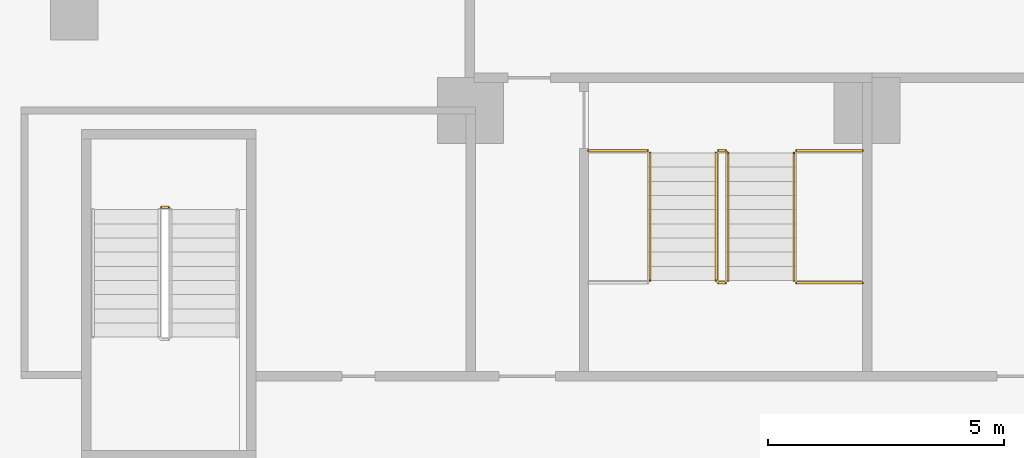
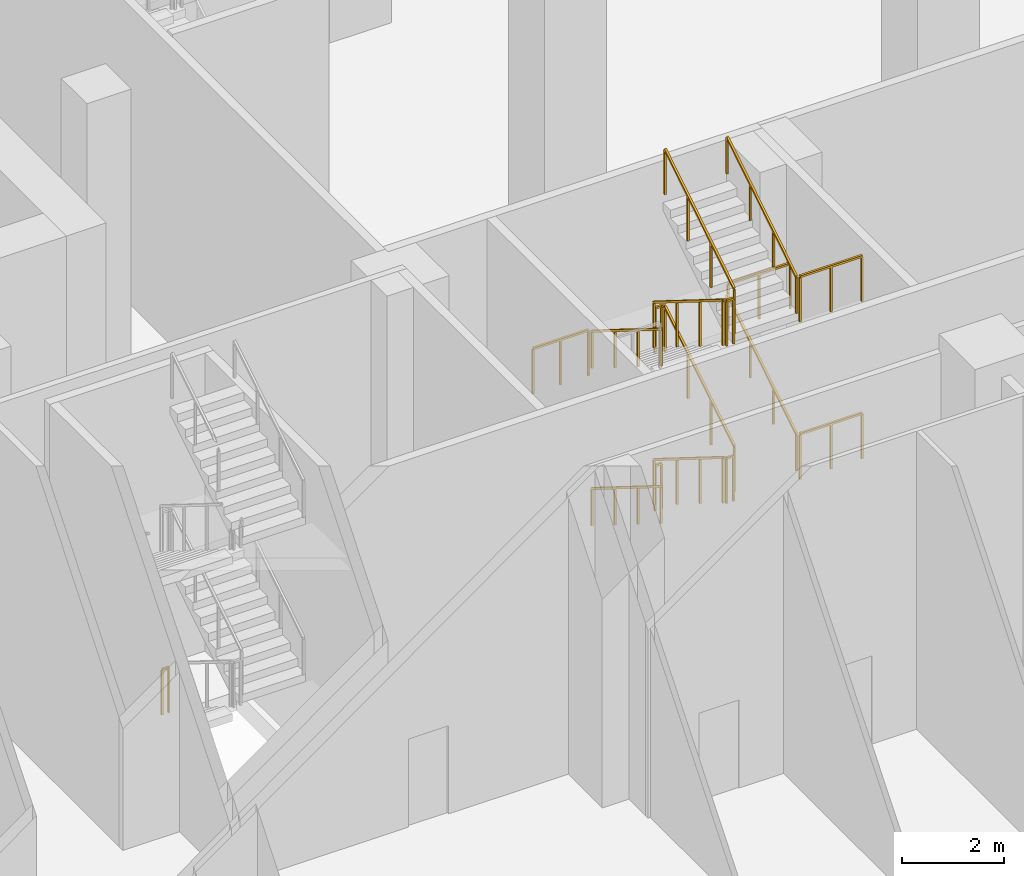
# One storey, part 43 of 53: 14 railings.
"""IFC4 building model written with IfcOpenShell, lengths in metres."""

from ifc_helpers import new_model, si_unit, direction, frame, origin, origin_2d, place, context, subcontext, project, spatial, rectangle, extrude, material, type_object, element, save


model = new_model("IFC4")

# Units and contexts
model_context = context("Model", 3, precision=1e-05, world=origin(), true_north=direction((0.0, 1.0)))
body_context = subcontext(model_context, "Body", "Model", "MODEL_VIEW")
ifc_project = project(units=[si_unit("LENGTHUNIT", "METRE"), si_unit("AREAUNIT", "SQUARE_METRE"), si_unit("VOLUMEUNIT", "CUBIC_METRE"), si_unit("PLANEANGLEUNIT", "RADIAN"), si_unit("MASSUNIT", "GRAM", prefix="KILO")], contexts=[model_context])

# Site, building, storey
site_placement = place(None, origin())
site = spatial("IfcSite", under=ifc_project, at=site_placement, CompositionType="ELEMENT")
building_placement = place(site_placement, origin())
building = spatial("IfcBuilding", under=site, at=building_placement, Name="Vermilion Ogive Tower", CompositionType="ELEMENT")
storey_placement = place(building_placement, origin())
storey = spatial("IfcBuildingStorey", under=building, at=storey_placement, Name="L00", CompositionType="ELEMENT", Elevation=0.0)

# Railings
ifc_material_1 = material(Name="Steel S355 painted", Category="steel")
railing_type_1 = type_object("IfcRailingType", Name="Stair guard 1100", PredefinedType="GUARDRAIL", material=ifc_material_1)
railing_1_placement = place(storey_placement, frame((10.25, -14.64990234375, 0.0)))
element("IfcRailing", 1, at=railing_1_placement, inside=storey, type_object=railing_type_1, Name="L00 ST5 stair guard 8", PredefinedType="GUARDRAIL", context=body_context, shape_type="SweptSolid", body=[
    extrude(rectangle(XDim=0.048095703125, YDim=0.048095703125, at=origin_2d()), frame((0.0, 0.0, 1.076171875), z_axis=(1.0, 0.0, 0.0), x_axis=(0.0, 1.0, 0.0)), (0.0, 0.0, 1.0), 0.14990234375),
    extrude(rectangle(XDim=0.0419921875, YDim=0.0419921875, at=origin_2d()), origin(), (0.0, 0.0, 1.0), 1.052001953125),
    extrude(rectangle(XDim=0.0419921875, YDim=0.0419921875, at=origin_2d()), frame((0.14990234375, 0.0, 0.0)), (0.0, 0.0, 1.0), 1.052001953125),
])
railing_2_placement = place(storey_placement, frame((22.0, -13.5, 0.1875)))
element("IfcRailing", 2, at=railing_2_placement, inside=storey, type_object=railing_type_1, Name="L00 PS3 stair guard 1", PredefinedType="GUARDRAIL", context=body_context, shape_type="SweptSolid", body=[
    extrude(rectangle(XDim=0.048095703125, YDim=0.048095703125, at=origin_2d()), frame((0.0, 0.0, 1.076171875), z_axis=(0.0, -0.847993996163, 0.530005832488), x_axis=(1.0, 0.0, 0.0)), (0.0, 0.0, 1.0), 3.183837890625),
    extrude(rectangle(XDim=0.048095703125, YDim=0.048095703125, at=origin_2d()), frame((0.0, -2.699951171875, 2.763671875), z_axis=(0.707106781187, -0.707106781187, 0.0), x_axis=(0.707106781187, 0.707106781187, 0.0)), (0.0, 0.0, 1.0), 0.07080078125),
    extrude(rectangle(XDim=0.048095703125, YDim=0.048095703125, at=origin_2d()), frame((0.050048828125, -2.75, 2.763671875), z_axis=(1.0, 0.0, 0.0), x_axis=(0.0, 1.0, 0.0)), (0.0, 0.0, 1.0), 0.14990234375),
    extrude(rectangle(XDim=0.0419921875, YDim=0.0419921875, at=origin_2d()), origin(), (0.0, 0.0, 1.0), 1.052001953125),
    extrude(rectangle(XDim=0.0419921875, YDim=0.0419921875, at=origin_2d()), frame((0.0, -0.89990234375, 0.5625)), (0.0, 0.0, 1.0), 1.052001953125),
    extrude(rectangle(XDim=0.0419921875, YDim=0.0419921875, at=origin_2d()), frame((0.0, -1.800048828125, 1.125)), (0.0, 0.0, 1.0), 1.052001953125),
    extrude(rectangle(XDim=0.0419921875, YDim=0.0419921875, at=origin_2d()), frame((0.0, -2.699951171875, 1.6875)), (0.0, 0.0, 1.0), 1.052001953125),
    extrude(rectangle(XDim=0.0419921875, YDim=0.0419921875, at=origin_2d()), frame((0.050048828125, -2.75, 1.6875)), (0.0, 0.0, 1.0), 1.052001953125),
    extrude(rectangle(XDim=0.0419921875, YDim=0.0419921875, at=origin_2d()), frame((0.199951171875, -2.75, 1.6875)), (0.0, 0.0, 1.0), 1.052001953125),
])
railing_3_placement = place(storey_placement, frame((22.25, -16.199951171875, 2.0625)))
element("IfcRailing", 3, at=railing_3_placement, inside=storey, type_object=railing_type_1, Name="L00 PS3 stair guard 3", PredefinedType="GUARDRAIL", context=body_context, shape_type="SweptSolid", body=[
    extrude(rectangle(XDim=0.048095703125, YDim=0.048095703125, at=origin_2d()), frame((0.0, 0.0, 1.076171875), z_axis=(0.0, 0.847993996163, 0.530005832488), x_axis=(-1.0, 0.0, 0.0)), (0.0, 0.0, 1.0), 3.183837890625),
    extrude(rectangle(XDim=0.048095703125, YDim=0.048095703125, at=origin_2d()), frame((0.0, 2.699951171875, 2.763671875), z_axis=(-0.707106781187, 0.707106781187, 0.0), x_axis=(-0.707106781187, -0.707106781187, 0.0)), (0.0, 0.0, 1.0), 0.07080078125),
    extrude(rectangle(XDim=0.048095703125, YDim=0.048095703125, at=origin_2d()), frame((-0.050048828125, 2.75, 2.763671875), z_axis=(-1.0, 0.0, 0.0), x_axis=(0.0, -1.0, 0.0)), (0.0, 0.0, 1.0), 0.14990234375),
    extrude(rectangle(XDim=0.0419921875, YDim=0.0419921875, at=origin_2d()), origin(), (0.0, 0.0, 1.0), 1.052001953125),
    extrude(rectangle(XDim=0.0419921875, YDim=0.0419921875, at=origin_2d()), frame((0.0, 0.89990234375, 0.5625)), (0.0, 0.0, 1.0), 1.052001953125),
    extrude(rectangle(XDim=0.0419921875, YDim=0.0419921875, at=origin_2d()), frame((0.0, 1.800048828125, 1.125)), (0.0, 0.0, 1.0), 1.052001953125),
    extrude(rectangle(XDim=0.0419921875, YDim=0.0419921875, at=origin_2d()), frame((0.0, 2.699951171875, 1.6875)), (0.0, 0.0, 1.0), 1.052001953125),
    extrude(rectangle(XDim=0.0419921875, YDim=0.0419921875, at=origin_2d()), frame((-0.050048828125, 2.75, 1.6875)), (0.0, 0.0, 1.0), 1.052001953125),
    extrude(rectangle(XDim=0.0419921875, YDim=0.0419921875, at=origin_2d()), frame((-0.199951171875, 2.75, 1.6875)), (0.0, 0.0, 1.0), 1.052001953125),
])
railing_4_placement = place(storey_placement, frame((22.0, -13.5, 3.9375)))
element("IfcRailing", 4, at=railing_4_placement, inside=storey, type_object=railing_type_1, Name="L00 PS3 stair guard 5", PredefinedType="GUARDRAIL", context=body_context, shape_type="SweptSolid", body=[
    extrude(rectangle(XDim=0.048095703125, YDim=0.048095703125, at=origin_2d()), frame((0.0, 0.0, 1.076171875), z_axis=(0.0, -0.847993996163, 0.530005832488), x_axis=(1.0, 0.0, 0.0)), (0.0, 0.0, 1.0), 3.183837890625),
    extrude(rectangle(XDim=0.048095703125, YDim=0.048095703125, at=origin_2d()), frame((0.0, -2.699951171875, 2.763671875), z_axis=(0.707106781187, -0.707106781187, 0.0), x_axis=(0.707106781187, 0.707106781187, 0.0)), (0.0, 0.0, 1.0), 0.07080078125),
    extrude(rectangle(XDim=0.048095703125, YDim=0.048095703125, at=origin_2d()), frame((0.050048828125, -2.75, 2.763671875), z_axis=(1.0, 0.0, 0.0), x_axis=(0.0, 1.0, 0.0)), (0.0, 0.0, 1.0), 0.14990234375),
    extrude(rectangle(XDim=0.0419921875, YDim=0.0419921875, at=origin_2d()), origin(), (0.0, 0.0, 1.0), 1.052001953125),
    extrude(rectangle(XDim=0.0419921875, YDim=0.0419921875, at=origin_2d()), frame((0.0, -0.89990234375, 0.5625)), (0.0, 0.0, 1.0), 1.052001953125),
    extrude(rectangle(XDim=0.0419921875, YDim=0.0419921875, at=origin_2d()), frame((0.0, -1.800048828125, 1.125)), (0.0, 0.0, 1.0), 1.052001953125),
    extrude(rectangle(XDim=0.0419921875, YDim=0.0419921875, at=origin_2d()), frame((0.0, -2.699951171875, 1.6875)), (0.0, 0.0, 1.0), 1.052001953125),
    extrude(rectangle(XDim=0.0419921875, YDim=0.0419921875, at=origin_2d()), frame((0.050048828125, -2.75, 1.6875)), (0.0, 0.0, 1.0), 1.052001953125),
    extrude(rectangle(XDim=0.0419921875, YDim=0.0419921875, at=origin_2d()), frame((0.199951171875, -2.75, 1.6875)), (0.0, 0.0, 1.0), 1.052001953125),
])
railing_5_placement = place(storey_placement, frame((22.25, -16.199951171875, 5.8125)))
element("IfcRailing", 5, at=railing_5_placement, inside=storey, type_object=railing_type_1, Name="L00 PS3 stair guard 7", PredefinedType="GUARDRAIL", context=body_context, shape_type="SweptSolid", body=[
    extrude(rectangle(XDim=0.048095703125, YDim=0.048095703125, at=origin_2d()), frame((0.0, 0.0, 1.076171875), z_axis=(0.0, 0.847993996163, 0.530005832488), x_axis=(-1.0, 0.0, 0.0)), (0.0, 0.0, 1.0), 3.183837890625),
    extrude(rectangle(XDim=0.0419921875, YDim=0.0419921875, at=origin_2d()), origin(), (0.0, 0.0, 1.0), 1.052001953125),
    extrude(rectangle(XDim=0.0419921875, YDim=0.0419921875, at=origin_2d()), frame((0.0, 0.89990234375, 0.5625)), (0.0, 0.0, 1.0), 1.052001953125),
    extrude(rectangle(XDim=0.0419921875, YDim=0.0419921875, at=origin_2d()), frame((0.0, 1.800048828125, 1.125)), (0.0, 0.0, 1.0), 1.052001953125),
    extrude(rectangle(XDim=0.0419921875, YDim=0.0419921875, at=origin_2d()), frame((0.0, 2.699951171875, 1.6875)), (0.0, 0.0, 1.0), 1.052001953125),
])
railing_6_placement = place(storey_placement, frame((22.050048828125, -13.449951171875, 0.0)))
element("IfcRailing", 6, at=railing_6_placement, inside=storey, type_object=railing_type_1, Name="L00 PS3 stair guard 8", PredefinedType="GUARDRAIL", context=body_context, shape_type="SweptSolid", body=[
    extrude(rectangle(XDim=0.048095703125, YDim=0.048095703125, at=origin_2d()), frame((0.0, 0.0, 1.076171875), z_axis=(1.0, 0.0, 0.0), x_axis=(0.0, 1.0, 0.0)), (0.0, 0.0, 1.0), 0.14990234375),
    extrude(rectangle(XDim=0.0419921875, YDim=0.0419921875, at=origin_2d()), origin(), (0.0, 0.0, 1.0), 1.052001953125),
    extrude(rectangle(XDim=0.0419921875, YDim=0.0419921875, at=origin_2d()), frame((0.14990234375, 0.0, 0.0)), (0.0, 0.0, 1.0), 1.052001953125),
])
railing_7_placement = place(storey_placement, frame((23.699951171875, -16.25, 1.875)))
element("IfcRailing", 7, at=railing_7_placement, inside=storey, type_object=railing_type_1, Name="L00 landing guard", PredefinedType="GUARDRAIL", context=body_context, shape_type="SweptSolid", body=[
    extrude(rectangle(XDim=0.048095703125, YDim=0.048095703125, at=origin_2d()), frame((0.0, 0.0, 1.076171875), z_axis=(1.0, 0.0, 0.0), x_axis=(0.0, 1.0, 0.0)), (0.0, 0.0, 1.0), 1.39990234375),
    extrude(rectangle(XDim=0.0419921875, YDim=0.0419921875, at=origin_2d()), origin(), (0.0, 0.0, 1.0), 1.052001953125),
    extrude(rectangle(XDim=0.0419921875, YDim=0.0419921875, at=origin_2d()), frame((0.699951171875, 0.0, 0.0)), (0.0, 0.0, 1.0), 1.052001953125),
    extrude(rectangle(XDim=0.0419921875, YDim=0.0419921875, at=origin_2d()), frame((1.39990234375, 0.0, 0.0)), (0.0, 0.0, 1.0), 1.052001953125),
])
railing_8_placement = place(storey_placement, frame((19.300048828125, -13.449951171875, 3.75)))
element("IfcRailing", 8, at=railing_8_placement, inside=storey, type_object=railing_type_1, Name="L00 landing guard", PredefinedType="GUARDRAIL", context=body_context, shape_type="SweptSolid", body=[
    extrude(rectangle(XDim=0.048095703125, YDim=0.048095703125, at=origin_2d()), frame((0.0, 0.0, 1.076171875), z_axis=(1.0, 0.0, 0.0), x_axis=(0.0, 1.0, 0.0)), (0.0, 0.0, 1.0), 1.25),
    extrude(rectangle(XDim=0.0419921875, YDim=0.0419921875, at=origin_2d()), origin(), (0.0, 0.0, 1.0), 1.052001953125),
    extrude(rectangle(XDim=0.0419921875, YDim=0.0419921875, at=origin_2d()), frame((0.625, 0.0, 0.0)), (0.0, 0.0, 1.0), 1.052001953125),
    extrude(rectangle(XDim=0.0419921875, YDim=0.0419921875, at=origin_2d()), frame((1.25, 0.0, 0.0)), (0.0, 0.0, 1.0), 1.052001953125),
])
for number, where, name in (
    (9, (23.699951171875, -13.449951171875, 3.75), "L00 landing guard"),
    (10, (23.699951171875, -16.25, 5.625), "L00 landing guard"),
):
    element("IfcRailing", number, at=place(storey_placement, frame(where)), inside=storey, type_object=railing_type_1, Name=name, PredefinedType="GUARDRAIL", context=body_context, shape_type="SweptSolid", body=[
        extrude(rectangle(XDim=0.048095703125, YDim=0.048095703125, at=origin_2d()), frame((0.0, 0.0, 1.076171875), z_axis=(1.0, 0.0, 0.0), x_axis=(0.0, 1.0, 0.0)), (0.0, 0.0, 1.0), 1.39990234375),
        extrude(rectangle(XDim=0.0419921875, YDim=0.0419921875, at=origin_2d()), origin(), (0.0, 0.0, 1.0), 1.052001953125),
        extrude(rectangle(XDim=0.0419921875, YDim=0.0419921875, at=origin_2d()), frame((0.699951171875, 0.0, 0.0)), (0.0, 0.0, 1.0), 1.052001953125),
        extrude(rectangle(XDim=0.0419921875, YDim=0.0419921875, at=origin_2d()), frame((1.39990234375, 0.0, 0.0)), (0.0, 0.0, 1.0), 1.052001953125),
    ])
ifc_material_2 = material(Name="Stainless steel", Category="steel")
railing_type_2 = type_object("IfcRailingType", Name="Stair handrail 900", PredefinedType="HANDRAIL", material=ifc_material_2)
railing_9_placement = place(storey_placement, frame((20.60009765625, -13.5, 0.1875)))
element("IfcRailing", 11, at=railing_9_placement, inside=storey, type_object=railing_type_2, Name="L00 PS3 stair handrail 1", PredefinedType="HANDRAIL", context=body_context, shape_type="SweptSolid", body=[
    extrude(rectangle(XDim=0.048095703125, YDim=0.048095703125, at=origin_2d()), frame((0.0, 0.0, 0.8759765625), z_axis=(0.0, -0.847993996163, 0.530005832488), x_axis=(1.0, 0.0, 0.0)), (0.0, 0.0, 1.0), 3.183837890625),
    extrude(rectangle(XDim=0.0419921875, YDim=0.0419921875, at=origin_2d()), origin(), (0.0, 0.0, 1.0), 0.851806640625),
    extrude(rectangle(XDim=0.0419921875, YDim=0.0419921875, at=origin_2d()), frame((0.0, -0.89990234375, 0.5625)), (0.0, 0.0, 1.0), 0.851806640625),
    extrude(rectangle(XDim=0.0419921875, YDim=0.0419921875, at=origin_2d()), frame((0.0, -1.800048828125, 1.125)), (0.0, 0.0, 1.0), 0.851806640625),
    extrude(rectangle(XDim=0.0419921875, YDim=0.0419921875, at=origin_2d()), frame((0.0, -2.699951171875, 1.6875)), (0.0, 0.0, 1.0), 0.851806640625),
])
railing_10_placement = place(storey_placement, frame((23.64990234375, -16.199951171875, 2.0625)))
element("IfcRailing", 12, at=railing_10_placement, inside=storey, type_object=railing_type_2, Name="L00 PS3 stair handrail 2", PredefinedType="HANDRAIL", context=body_context, shape_type="SweptSolid", body=[
    extrude(rectangle(XDim=0.048095703125, YDim=0.048095703125, at=origin_2d()), frame((0.0, 0.0, 0.8759765625), z_axis=(0.0, 0.847993996163, 0.530005832488), x_axis=(-1.0, 0.0, 0.0)), (0.0, 0.0, 1.0), 3.183837890625),
    extrude(rectangle(XDim=0.0419921875, YDim=0.0419921875, at=origin_2d()), origin(), (0.0, 0.0, 1.0), 0.851806640625),
    extrude(rectangle(XDim=0.0419921875, YDim=0.0419921875, at=origin_2d()), frame((0.0, 0.89990234375, 0.5625)), (0.0, 0.0, 1.0), 0.851806640625),
    extrude(rectangle(XDim=0.0419921875, YDim=0.0419921875, at=origin_2d()), frame((0.0, 1.800048828125, 1.125)), (0.0, 0.0, 1.0), 0.851806640625),
    extrude(rectangle(XDim=0.0419921875, YDim=0.0419921875, at=origin_2d()), frame((0.0, 2.699951171875, 1.6875)), (0.0, 0.0, 1.0), 0.851806640625),
])
railing_11_placement = place(storey_placement, frame((20.60009765625, -13.5, 3.9375)))
element("IfcRailing", 13, at=railing_11_placement, inside=storey, type_object=railing_type_2, Name="L00 PS3 stair handrail 3", PredefinedType="HANDRAIL", context=body_context, shape_type="SweptSolid", body=[
    extrude(rectangle(XDim=0.048095703125, YDim=0.048095703125, at=origin_2d()), frame((0.0, 0.0, 0.8759765625), z_axis=(0.0, -0.847993996163, 0.530005832488), x_axis=(1.0, 0.0, 0.0)), (0.0, 0.0, 1.0), 3.183837890625),
    extrude(rectangle(XDim=0.0419921875, YDim=0.0419921875, at=origin_2d()), origin(), (0.0, 0.0, 1.0), 0.851806640625),
    extrude(rectangle(XDim=0.0419921875, YDim=0.0419921875, at=origin_2d()), frame((0.0, -0.89990234375, 0.5625)), (0.0, 0.0, 1.0), 0.851806640625),
    extrude(rectangle(XDim=0.0419921875, YDim=0.0419921875, at=origin_2d()), frame((0.0, -1.800048828125, 1.125)), (0.0, 0.0, 1.0), 0.851806640625),
    extrude(rectangle(XDim=0.0419921875, YDim=0.0419921875, at=origin_2d()), frame((0.0, -2.699951171875, 1.6875)), (0.0, 0.0, 1.0), 0.851806640625),
])
railing_12_placement = place(storey_placement, frame((23.64990234375, -16.199951171875, 5.8125)))
element("IfcRailing", 14, at=railing_12_placement, inside=storey, type_object=railing_type_2, Name="L00 PS3 stair handrail 4", PredefinedType="HANDRAIL", context=body_context, shape_type="SweptSolid", body=[
    extrude(rectangle(XDim=0.048095703125, YDim=0.048095703125, at=origin_2d()), frame((0.0, 0.0, 0.8759765625), z_axis=(0.0, 0.847993996163, 0.530005832488), x_axis=(-1.0, 0.0, 0.0)), (0.0, 0.0, 1.0), 3.183837890625),
    extrude(rectangle(XDim=0.0419921875, YDim=0.0419921875, at=origin_2d()), origin(), (0.0, 0.0, 1.0), 0.851806640625),
    extrude(rectangle(XDim=0.0419921875, YDim=0.0419921875, at=origin_2d()), frame((0.0, 0.89990234375, 0.5625)), (0.0, 0.0, 1.0), 0.851806640625),
    extrude(rectangle(XDim=0.0419921875, YDim=0.0419921875, at=origin_2d()), frame((0.0, 1.800048828125, 1.125)), (0.0, 0.0, 1.0), 0.851806640625),
    extrude(rectangle(XDim=0.0419921875, YDim=0.0419921875, at=origin_2d()), frame((0.0, 2.699951171875, 1.6875)), (0.0, 0.0, 1.0), 0.851806640625),
])

save(model, "model.ifc")
